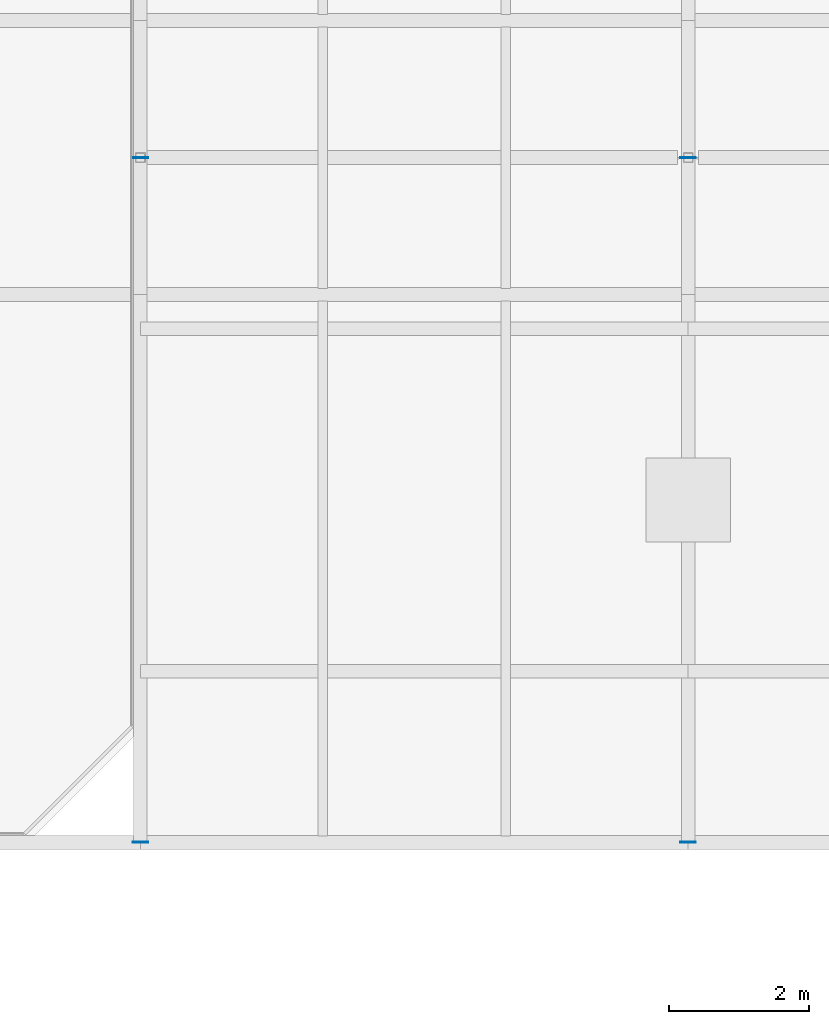
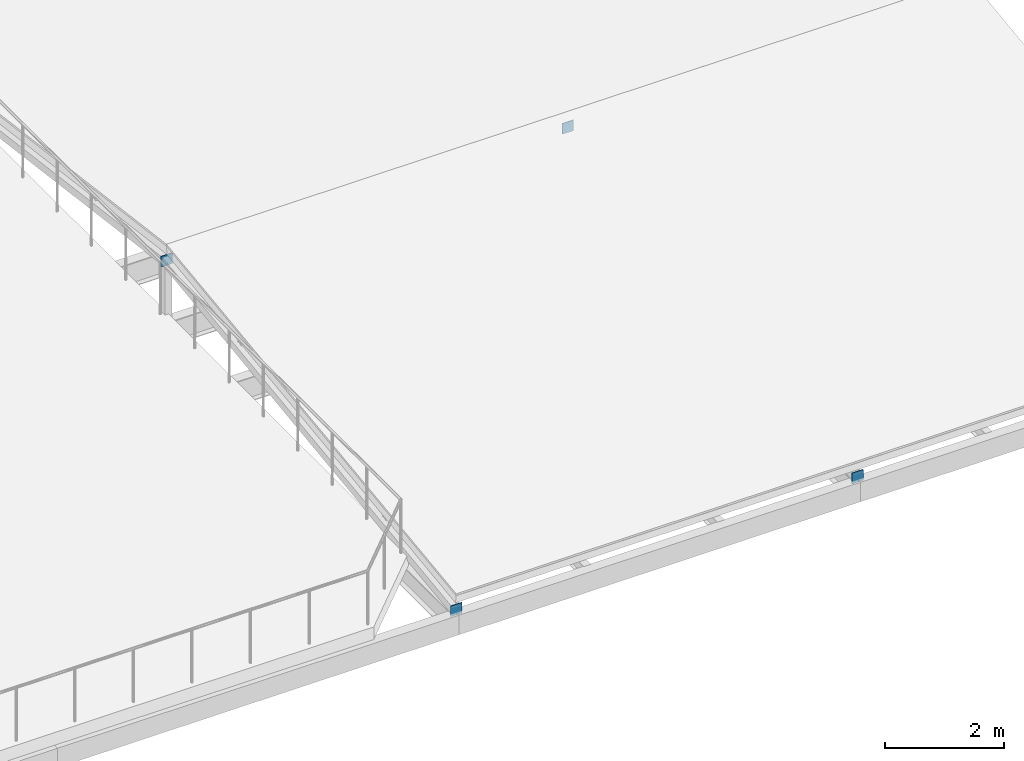
# One storey, part 30 of 45: 4 plates.
"""IFC4 building model written with IfcOpenShell, lengths in metres."""

from ifc_helpers import new_model, si_unit, direction, frame, origin, origin_2d, place, context, subcontext, project, spatial, rectangle, extrude, material, layer, layer_set, type_object, element, save


model = new_model("IFC4")

# Units and contexts
model_context = context("Model", 3, precision=1e-05, world=origin(), true_north=direction((0.0, 1.0)))
body_context = subcontext(model_context, "Body", "Model", "MODEL_VIEW")
ifc_project = project(units=[si_unit("LENGTHUNIT", "METRE"), si_unit("AREAUNIT", "SQUARE_METRE"), si_unit("VOLUMEUNIT", "CUBIC_METRE"), si_unit("PLANEANGLEUNIT", "RADIAN"), si_unit("MASSUNIT", "GRAM", prefix="KILO")], contexts=[model_context])

# Site, building, storey
site_placement = place(None, origin())
site = spatial("IfcSite", under=ifc_project, at=site_placement, CompositionType="ELEMENT")
building_placement = place(site_placement, origin())
building = spatial("IfcBuilding", under=site, at=building_placement, Name="Celorna Specialist Clinic", CompositionType="ELEMENT")
storey_placement = place(building_placement, frame((0.0, 0.0, 18.60009765625)))
storey = spatial("IfcBuildingStorey", under=building, at=storey_placement, Name="L04", CompositionType="ELEMENT", Elevation=18.60009765625)

# Plates
ifc_material = material(Name="Steel S355", Category="steel")
ifc_layer = layer(ifc_material, 0.01611328125, Name="Steel S355")
ifc_layer_set = layer_set([ifc_layer], Name="Steel S355")
plate_type = type_object("IfcPlateType", Name="EP-04", PredefinedType="SHEET", material=ifc_layer_set)
for number, where, z_axis, x_axis, name in (
    (1, (117.0, 96.5, -0.31201171875), (0.0, 0.0, 1.0), (1.0, 0.0, 0.0), "Rafter chord cap plate ROOF-V4-MID-S"),
    (2, (117.0, 106.25, 0.9580078125), (0.0, 0.0, 1.0), (1.0, 0.0, 0.0), "Rafter chord cap plate ROOF-V4-MID-S"),
    (3, (124.800048828125, 96.5, -0.31201171875), (0.0, 0.0, 1.0), (1.0, 0.0, 0.0), "Rafter chord cap plate ROOF-V4-MID-S"),
    (4, (124.800048828125, 106.25, 0.9580078125), (0.0, 0.0, 1.0), (1.0, 0.0, 0.0), "Rafter chord cap plate ROOF-V4-MID-S"),
):
    element("IfcPlate", number, at=place(storey_placement, frame(where, z_axis=z_axis, x_axis=x_axis)), inside=storey, type_object=plate_type, Name=name, PredefinedType="SHEET", context=body_context, shape_type="SweptSolid", body=[
        extrude(rectangle(XDim=0.219970703125, YDim=0.013916015625, at=origin_2d()), origin(), (0.0, 0.0, 1.0), 0.219970703125),
    ])

save(model, "model.ifc")
